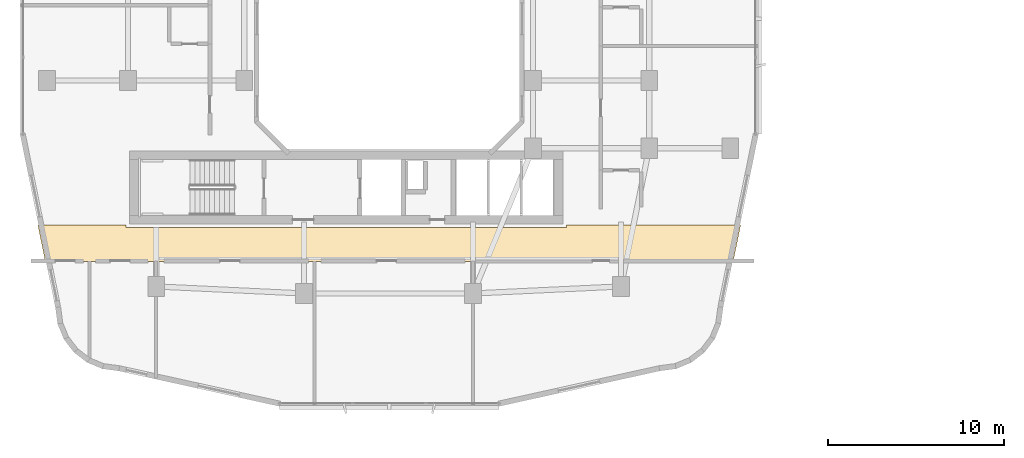
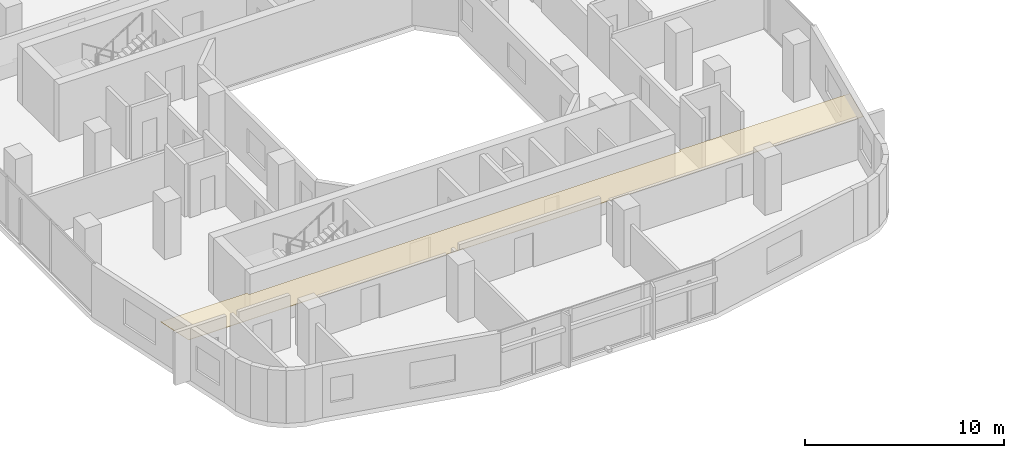
# One storey, part 23 of 26: 1 covering.
"""IFC4 building model written with IfcOpenShell, lengths in metres."""

from ifc_helpers import new_model, si_unit, derived_unit, direction, frame, origin, place, context, subcontext, project, spatial, polyline, outline, extrude, material, layer, layer_set, type_object, element, save


model = new_model("IFC4")

# Units and contexts
model_context = context("Model", 3, precision=1e-05, world=origin(), true_north=direction((0.0, 1.0)))
body_context = subcontext(model_context, "Body", "Model", "MODEL_VIEW")
ifc_project = project(units=[si_unit("LENGTHUNIT", "METRE"), si_unit("AREAUNIT", "SQUARE_METRE"), si_unit("VOLUMEUNIT", "CUBIC_METRE"), si_unit("PLANEANGLEUNIT", "RADIAN"), si_unit("MASSUNIT", "GRAM", prefix="KILO"), derived_unit("THERMALTRANSMITTANCEUNIT", [(si_unit("POWERUNIT", "WATT"), 1), (si_unit("LENGTHUNIT", "METRE"), -2), (si_unit("THERMODYNAMICTEMPERATUREUNIT", "KELVIN"), -1)])], contexts=[model_context])

# Site, building, storey
site_placement = place(None, origin())
site = spatial("IfcSite", under=ifc_project, at=site_placement, CompositionType="ELEMENT")
building_placement = place(site_placement, origin())
building = spatial("IfcBuilding", under=site, at=building_placement, Name="Kivonza Crest Hotel", CompositionType="ELEMENT")
storey_placement = place(building_placement, frame((0.0, 0.0, 62.5)))
storey = spatial("IfcBuildingStorey", under=building, at=storey_placement, Name="L16", CompositionType="ELEMENT", Elevation=62.5)

# Covering
ifc_material = material(Name="Mineral-fibre acoustic ceiling tile", Category="gypsum")
ifc_layer = layer(ifc_material, 0.02490234375)
ifc_layer_set = layer_set([ifc_layer], Name="Mineral-fibre acoustic ceiling tile")
covering_type = type_object("IfcCoveringType", Name="CV-CEIL-ACOU", PredefinedType="CEILING", material=ifc_layer_set)
covering_placement = place(storey_placement, frame((0.0, 0.0, 2.449951171875)))
element("IfcCovering", 1, at=covering_placement, inside=storey, type_object=covering_type, Name="L16 Hotel South Guest Corridor suspended ceiling", PredefinedType="CEILING", context=body_context, shape_type="SweptSolid", body=[
    extrude(outline(polyline([(40.573974609375, 11.2099609375), (40.998046875, 13.2900390625), (31.10009765625, 13.2900390625), (31.10009765625, 13.139892578125), (6.10009765625, 13.139892578125), (6.10009765625, 13.2900390625), (1.08203125, 13.2900390625), (1.506103515625, 11.2099609375), (40.573974609375, 11.2099609375)])), origin(), (0.0, 0.0, 1.0), 0.025146484375),
])

save(model, "model.ifc")
